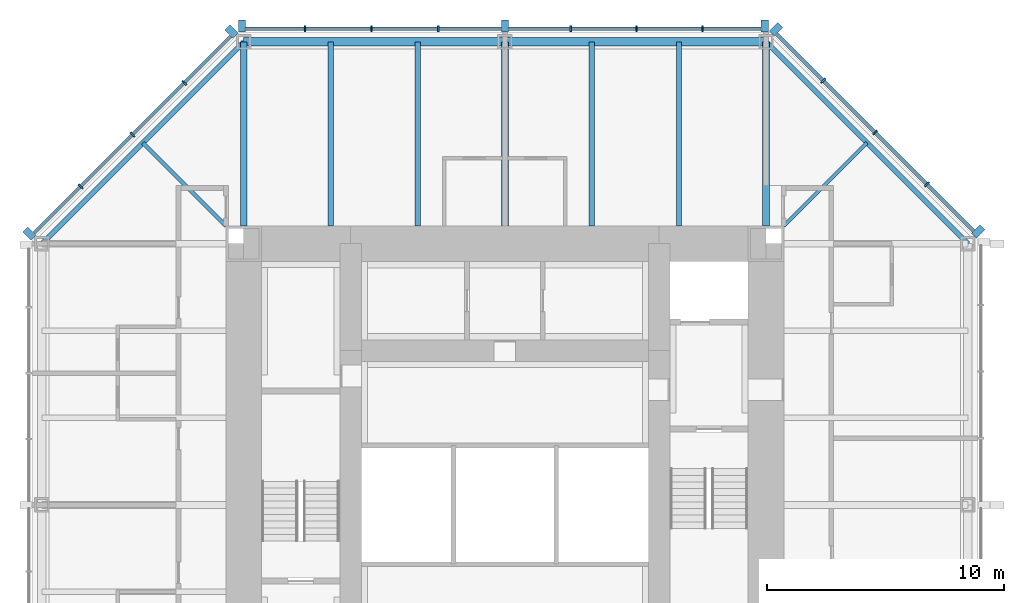
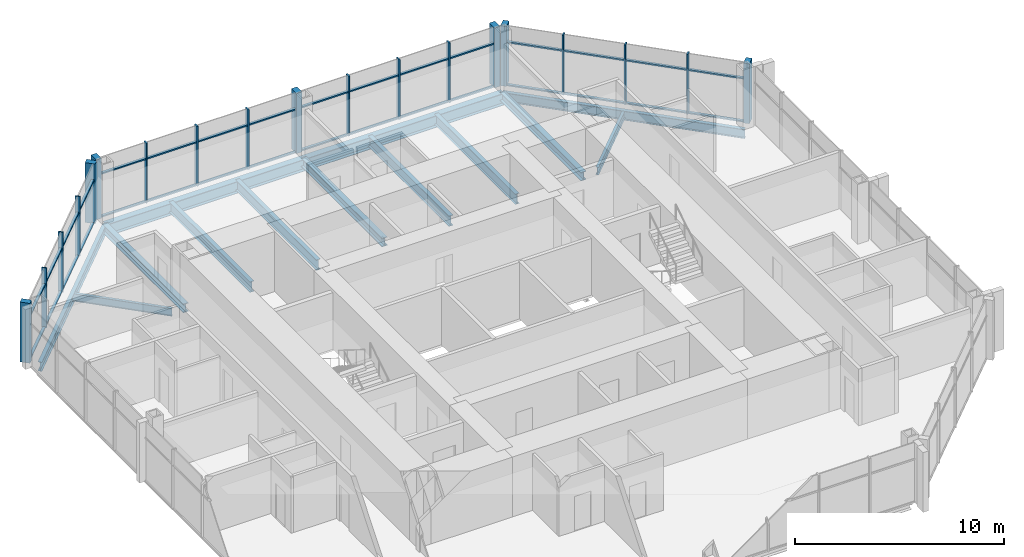
# One storey, part 5 of 11: 51 members, 13 beams, 3 elements without a shape of their own.
"""IFC4 building model written with IfcOpenShell, lengths in metres."""

from ifc_helpers import new_model, si_unit, direction, frame, origin, origin_2d, place, context, subcontext, project, spatial, rectangle, i_section, extrude, material, material_profile, profile_set, type_object, element, aggregate, save


model = new_model("IFC4")

# Units and contexts
model_context = context("Model", 3, precision=1e-05, world=origin(), true_north=direction((0.0, 1.0)))
body_context = subcontext(model_context, "Body", "Model", "MODEL_VIEW")
ifc_project = project(units=[si_unit("LENGTHUNIT", "METRE"), si_unit("AREAUNIT", "SQUARE_METRE"), si_unit("VOLUMEUNIT", "CUBIC_METRE"), si_unit("PLANEANGLEUNIT", "RADIAN"), si_unit("MASSUNIT", "GRAM", prefix="KILO")], contexts=[model_context])

# Site, building, storey
site_placement = place(None, origin())
site = spatial("IfcSite", under=ifc_project, at=site_placement, CompositionType="ELEMENT")
building_placement = place(site_placement, origin())
building = spatial("IfcBuilding", under=site, at=building_placement, Name="Trevanion Tower", CompositionType="ELEMENT")
storey_placement = place(building_placement, frame((0.0, 0.0, 229.199951171875)))
storey = spatial("IfcBuildingStorey", under=building, at=storey_placement, Name="L55", CompositionType="ELEMENT", Elevation=229.199951171875)

# Beams
ifc_material_1 = material(Name="Steel ASTM A992 Grade 50", Category="steel")
ifc_material_profile_1 = material_profile(ifc_material_1, i_section(OverallWidth=0.228271484375, OverallDepth=0.607177734375, WebThickness=0.01123046875, FlangeThickness=0.017333984375, at=origin_2d()), Name="W24X76")
ifc_profile_set_1 = profile_set([ifc_material_profile_1], Name="Steel ASTM A992 Grade 50")
beam_type_1 = type_object("IfcBeamType", Name="B11 W24X76", PredefinedType="BEAM", material=ifc_profile_set_1)
for number, where, z_axis, x_axis, name in (
    (1, (7.333251953125, 11.75, -0.493408203125), (0.0, 1.0, 0.0), (-1.0, 0.0, 0.0), "B11 L55"),
    (2, (3.666748046875, 11.75, -0.493408203125), (0.0, 1.0, 0.0), (-1.0, 0.0, 0.0), "B11 L55"),
    (3, (-3.666748046875, 11.75, -0.493408203125), (0.0, 1.0, 0.0), (-1.0, 0.0, 0.0), "B11 L55"),
    (4, (-7.333251953125, 11.75, -0.493408203125), (0.0, 1.0, 0.0), (-1.0, 0.0, 0.0), "B11 L55"),
):
    element("IfcBeam", number, at=place(storey_placement, frame(where, z_axis=z_axis, x_axis=x_axis)), inside=storey, type_object=beam_type_1, Name=name, PredefinedType="BEAM", context=body_context, shape_type="SweptSolid", body=[
        extrude(i_section(OverallWidth=0.228271484375, OverallDepth=0.607177734375, WebThickness=0.01123046875, FlangeThickness=0.017333984375, at=origin_2d()), origin(), (0.0, 0.0, 1.0), 7.75),
    ])
ifc_material_2 = material(Name="Steel ASTM A992 Grade 50", Category="steel")
ifc_material_profile_2 = material_profile(ifc_material_2, i_section(OverallWidth=0.15234375, OverallDepth=0.449462890625, WebThickness=0.007568359375, FlangeThickness=0.0107421875, at=origin_2d()), Name="W18X35")
ifc_profile_set_2 = profile_set([ifc_material_profile_2], Name="Steel ASTM A992 Grade 50")
beam_type_2 = type_object("IfcBeamType", Name="B12 W18X35", PredefinedType="BEAM", material=ifc_profile_set_2)
for number, where, z_axis, x_axis, name in (
    (5, (11.75, 11.75, -0.414794921875), (0.707106781187, 0.707106781187, 0.0), (-0.707106781187, 0.707106781187, 0.0), "B12 L55"),
    (6, (-11.75, 11.75, -0.414794921875), (-0.707106781187, 0.707106781187, 0.0), (-0.707106781187, -0.707106781187, 0.0), "B12 L55"),
):
    element("IfcBeam", number, at=place(storey_placement, frame(where, z_axis=z_axis, x_axis=x_axis)), inside=storey, type_object=beam_type_2, Name=name, PredefinedType="BEAM", context=body_context, shape_type="SweptSolid", body=[
        extrude(i_section(OverallWidth=0.15234375, OverallDepth=0.449462890625, WebThickness=0.007568359375, FlangeThickness=0.0107421875, at=origin_2d()), origin(), (0.0, 0.0, 1.0), 4.94970703125),
    ])

# Curtain wall, members
ifc_material_3 = material(Name="Aluminium and glass", Category="aluminium")
curtain_wall_type = type_object("IfcCurtainWallType", Name="CW3 curtain wall", PredefinedType="USERDEFINED", material=ifc_material_3)
curtain_wall_1_placement = place(storey_placement, origin())
curtain_wall_1 = element("IfcCurtainWall", 7, at=curtain_wall_1_placement, inside=storey, type_object=curtain_wall_type, Name="CW3 L55 1", ObjectType="UNITISED CURTAIN WALL", PredefinedType="USERDEFINED")
ifc_material_4 = material(Name="Aluminium extrusion, anodised bronze", Category="aluminium")
ifc_material_profile_3 = material_profile(ifc_material_4, rectangle(XDim=0.074951171875, YDim=0.25, at=origin_2d()), Name="CW3 mullion")
ifc_profile_set_3 = profile_set([ifc_material_profile_3], Name="Aluminium extrusion, anodised bronze")
member_type_1 = type_object("IfcMemberType", Name="CW3 mullion", PredefinedType="MULLION", material=ifc_profile_set_3)
member_1_placement = place(storey_placement, frame((17.775390625, 13.502197265625, -0.18994140625), z_axis=(0.0, 0.0, 1.0), x_axis=(-0.707106781187, 0.707106781187, 0.0)))
member_1 = element("IfcMember", 8, at=member_1_placement, type_object=member_type_1, Name="CW3 mullion 2", PredefinedType="MULLION", context=body_context, shape_type="SweptSolid", body=[
    extrude(rectangle(XDim=0.074951171875, YDim=0.25, at=origin_2d()), origin(), (0.0, 0.0, 1.0), 3.5),
])
member_2_placement = place(storey_placement, frame((15.593017578125, 15.684814453125, -0.18994140625), z_axis=(0.0, 0.0, 1.0), x_axis=(-0.707106781187, 0.707106781187, 0.0)))
member_2 = element("IfcMember", 9, at=member_2_placement, type_object=member_type_1, Name="CW3 mullion 3", PredefinedType="MULLION", context=body_context, shape_type="SweptSolid", body=[
    extrude(rectangle(XDim=0.074951171875, YDim=0.25, at=origin_2d()), origin(), (0.0, 0.0, 1.0), 3.5),
])
member_3_placement = place(storey_placement, frame((13.410400390625, 17.867431640625, -0.18994140625), z_axis=(0.0, 0.0, 1.0), x_axis=(-0.707106781187, 0.707106781187, 0.0)))
member_3 = element("IfcMember", 10, at=member_3_placement, type_object=member_type_1, Name="CW3 mullion 4", PredefinedType="MULLION", context=body_context, shape_type="SweptSolid", body=[
    extrude(rectangle(XDim=0.074951171875, YDim=0.25, at=origin_2d()), origin(), (0.0, 0.0, 1.0), 3.5),
])

curtain_wall_2_placement = place(storey_placement, origin())
curtain_wall_2 = element("IfcCurtainWall", 11, at=curtain_wall_2_placement, inside=storey, type_object=curtain_wall_type, Name="CW3 L55 2", ObjectType="UNITISED CURTAIN WALL", PredefinedType="USERDEFINED")
member_4_placement = place(storey_placement, frame((8.323486328125, 20.050048828125, -0.18994140625), z_axis=(0.0, 0.0, 1.0), x_axis=(-1.0, 0.0, 0.0)))
member_4 = element("IfcMember", 12, at=member_4_placement, type_object=member_type_1, Name="CW3 mullion 2", PredefinedType="MULLION", context=body_context, shape_type="SweptSolid", body=[
    extrude(rectangle(XDim=0.074951171875, YDim=0.25, at=origin_2d()), origin(), (0.0, 0.0, 1.0), 3.5),
])
member_5_placement = place(storey_placement, frame((5.548828125, 20.050048828125, -0.18994140625), z_axis=(0.0, 0.0, 1.0), x_axis=(-1.0, 0.0, 0.0)))
member_5 = element("IfcMember", 13, at=member_5_placement, type_object=member_type_1, Name="CW3 mullion 3", PredefinedType="MULLION", context=body_context, shape_type="SweptSolid", body=[
    extrude(rectangle(XDim=0.074951171875, YDim=0.25, at=origin_2d()), origin(), (0.0, 0.0, 1.0), 3.5),
])
member_6_placement = place(storey_placement, frame((2.7744140625, 20.050048828125, -0.18994140625), z_axis=(0.0, 0.0, 1.0), x_axis=(-1.0, 0.0, 0.0)))
member_6 = element("IfcMember", 14, at=member_6_placement, type_object=member_type_1, Name="CW3 mullion 4", PredefinedType="MULLION", context=body_context, shape_type="SweptSolid", body=[
    extrude(rectangle(XDim=0.074951171875, YDim=0.25, at=origin_2d()), origin(), (0.0, 0.0, 1.0), 3.5),
])
member_7_placement = place(storey_placement, frame((-2.806884765625, 20.050048828125, -0.18994140625), z_axis=(0.0, 0.0, 1.0), x_axis=(-1.0, 0.0, 0.0)))
member_7 = element("IfcMember", 15, at=member_7_placement, type_object=member_type_1, Name="CW3 mullion 6", PredefinedType="MULLION", context=body_context, shape_type="SweptSolid", body=[
    extrude(rectangle(XDim=0.074951171875, YDim=0.25, at=origin_2d()), origin(), (0.0, 0.0, 1.0), 3.5),
])
member_8_placement = place(storey_placement, frame((-5.614013671875, 20.050048828125, -0.18994140625), z_axis=(0.0, 0.0, 1.0), x_axis=(-1.0, 0.0, 0.0)))
member_8 = element("IfcMember", 16, at=member_8_placement, type_object=member_type_1, Name="CW3 mullion 7", PredefinedType="MULLION", context=body_context, shape_type="SweptSolid", body=[
    extrude(rectangle(XDim=0.074951171875, YDim=0.25, at=origin_2d()), origin(), (0.0, 0.0, 1.0), 3.5),
])
member_9_placement = place(storey_placement, frame((-8.4208984375, 20.050048828125, -0.18994140625), z_axis=(0.0, 0.0, 1.0), x_axis=(-1.0, 0.0, 0.0)))
member_9 = element("IfcMember", 17, at=member_9_placement, type_object=member_type_1, Name="CW3 mullion 8", PredefinedType="MULLION", context=body_context, shape_type="SweptSolid", body=[
    extrude(rectangle(XDim=0.074951171875, YDim=0.25, at=origin_2d()), origin(), (0.0, 0.0, 1.0), 3.5),
])

curtain_wall_3_placement = place(storey_placement, origin())
curtain_wall_3 = element("IfcCurtainWall", 18, at=curtain_wall_3_placement, inside=storey, type_object=curtain_wall_type, Name="CW3 L55 3", ObjectType="UNITISED CURTAIN WALL", PredefinedType="USERDEFINED")
member_10_placement = place(storey_placement, frame((-13.502197265625, 17.775390625, -0.18994140625), z_axis=(0.0, 0.0, 1.0), x_axis=(-0.707106781187, -0.707106781187, 0.0)))
member_10 = element("IfcMember", 19, at=member_10_placement, type_object=member_type_1, Name="CW3 mullion 2", PredefinedType="MULLION", context=body_context, shape_type="SweptSolid", body=[
    extrude(rectangle(XDim=0.074951171875, YDim=0.25, at=origin_2d()), origin(), (0.0, 0.0, 1.0), 3.5),
])
member_11_placement = place(storey_placement, frame((-15.684814453125, 15.593017578125, -0.18994140625), z_axis=(0.0, 0.0, 1.0), x_axis=(-0.707106781187, -0.707106781187, 0.0)))
member_11 = element("IfcMember", 20, at=member_11_placement, type_object=member_type_1, Name="CW3 mullion 3", PredefinedType="MULLION", context=body_context, shape_type="SweptSolid", body=[
    extrude(rectangle(XDim=0.074951171875, YDim=0.25, at=origin_2d()), origin(), (0.0, 0.0, 1.0), 3.5),
])
member_12_placement = place(storey_placement, frame((-17.867431640625, 13.410400390625, -0.18994140625), z_axis=(0.0, 0.0, 1.0), x_axis=(-0.707106781187, -0.707106781187, 0.0)))
member_12 = element("IfcMember", 21, at=member_12_placement, type_object=member_type_1, Name="CW3 mullion 4", PredefinedType="MULLION", context=body_context, shape_type="SweptSolid", body=[
    extrude(rectangle(XDim=0.074951171875, YDim=0.25, at=origin_2d()), origin(), (0.0, 0.0, 1.0), 3.5),
])

# Member
ifc_material_5 = material(Name="Aluminium extrusion, anodised bronze", Category="aluminium")
ifc_material_profile_4 = material_profile(ifc_material_5, rectangle(XDim=0.300048828125, YDim=0.5, at=origin_2d()), Name="CW3 pier mullion")
ifc_profile_set_4 = profile_set([ifc_material_profile_4], Name="Aluminium extrusion, anodised bronze")
member_type_2 = type_object("IfcMemberType", Name="CW3 pier mullion", PredefinedType="MULLION", material=ifc_profile_set_4)
member_13_placement = place(storey_placement, frame((19.9404296875, 11.51416015625, -0.18994140625), z_axis=(0.0, 0.0, 1.0), x_axis=(-0.707106781187, 0.707106781187, 0.0)))
member_13 = element("IfcMember", 22, at=member_13_placement, type_object=member_type_2, Name="CW3 pier mullion 1", PredefinedType="MULLION", context=body_context, shape_type="SweptSolid", body=[
    extrude(rectangle(XDim=0.300048828125, YDim=0.5, at=origin_2d()), origin(), (0.0, 0.0, 1.0), 3.5),
])

member_14_placement = place(storey_placement, frame((11.42236328125, 20.0322265625, -0.18994140625), z_axis=(0.0, 0.0, 1.0), x_axis=(-0.707106781187, 0.707106781187, 0.0)))
member_14 = element("IfcMember", 23, at=member_14_placement, type_object=member_type_2, Name="CW3 pier mullion 5", PredefinedType="MULLION", context=body_context, shape_type="SweptSolid", body=[
    extrude(rectangle(XDim=0.300048828125, YDim=0.5, at=origin_2d()), origin(), (0.0, 0.0, 1.0), 3.5),
])

member_15_placement = place(storey_placement, frame((10.94775390625, 20.175048828125, -0.18994140625), z_axis=(0.0, 0.0, 1.0), x_axis=(-1.0, 0.0, 0.0)))
member_15 = element("IfcMember", 24, at=member_15_placement, type_object=member_type_2, Name="CW3 pier mullion 1", PredefinedType="MULLION", context=body_context, shape_type="SweptSolid", body=[
    extrude(rectangle(XDim=0.300048828125, YDim=0.5, at=origin_2d()), origin(), (0.0, 0.0, 1.0), 3.5),
])

member_16_placement = place(storey_placement, frame((0.0, 20.175048828125, -0.18994140625), z_axis=(0.0, 0.0, 1.0), x_axis=(-1.0, 0.0, 0.0)))
member_16 = element("IfcMember", 25, at=member_16_placement, type_object=member_type_2, Name="CW3 pier mullion 5", PredefinedType="MULLION", context=body_context, shape_type="SweptSolid", body=[
    extrude(rectangle(XDim=0.300048828125, YDim=0.5, at=origin_2d()), origin(), (0.0, 0.0, 1.0), 3.5),
])

member_17_placement = place(storey_placement, frame((-11.077880859375, 20.175048828125, -0.18994140625), z_axis=(0.0, 0.0, 1.0), x_axis=(-1.0, 0.0, 0.0)))
member_17 = element("IfcMember", 26, at=member_17_placement, type_object=member_type_2, Name="CW3 pier mullion 9", PredefinedType="MULLION", context=body_context, shape_type="SweptSolid", body=[
    extrude(rectangle(XDim=0.300048828125, YDim=0.5, at=origin_2d()), origin(), (0.0, 0.0, 1.0), 3.5),
])

member_18_placement = place(storey_placement, frame((-11.51416015625, 19.9404296875, -0.18994140625), z_axis=(0.0, 0.0, 1.0), x_axis=(-0.707106781187, -0.707106781187, 0.0)))
member_18 = element("IfcMember", 27, at=member_18_placement, type_object=member_type_2, Name="CW3 pier mullion 1", PredefinedType="MULLION", context=body_context, shape_type="SweptSolid", body=[
    extrude(rectangle(XDim=0.300048828125, YDim=0.5, at=origin_2d()), origin(), (0.0, 0.0, 1.0), 3.5),
])

member_19_placement = place(storey_placement, frame((-20.0322265625, 11.42236328125, -0.18994140625), z_axis=(0.0, 0.0, 1.0), x_axis=(-0.707106781187, -0.707106781187, 0.0)))
member_19 = element("IfcMember", 28, at=member_19_placement, type_object=member_type_2, Name="CW3 pier mullion 5", PredefinedType="MULLION", context=body_context, shape_type="SweptSolid", body=[
    extrude(rectangle(XDim=0.300048828125, YDim=0.5, at=origin_2d()), origin(), (0.0, 0.0, 1.0), 3.5),
])

ifc_material_6 = material(Name="Aluminium extrusion, anodised bronze", Category="aluminium")
ifc_material_profile_5 = material_profile(ifc_material_6, rectangle(XDim=0.14990234375, YDim=0.074951171875, at=origin_2d()), Name="CW3 transom")
ifc_profile_set_5 = profile_set([ifc_material_profile_5], Name="Aluminium extrusion, anodised bronze")
member_type_3 = type_object("IfcMemberType", Name="CW3 transom", PredefinedType="USERDEFINED", material=ifc_profile_set_5)
member_20_placement = place(storey_placement, frame((19.745849609375, 11.531982421875, -0.15234375), z_axis=(-0.707106781187, 0.707106781187, 0.0), x_axis=(-0.707106781187, -0.707106781187, 0.0)))
member_20 = element("IfcMember", 29, at=member_20_placement, type_object=member_type_3, Name="CW3 transom 1.1", ObjectType="TRANSOM", PredefinedType="USERDEFINED", context=body_context, shape_type="SweptSolid", body=[
    extrude(rectangle(XDim=0.14990234375, YDim=0.074951171875, at=origin_2d()), origin(), (0.0, 0.0, 1.0), 2.7490234375),
])

member_21_placement = place(storey_placement, frame((19.745849609375, 11.531982421875, 2.360107421875), z_axis=(-0.707106781187, 0.707106781187, 0.0), x_axis=(-0.707106781187, -0.707106781187, 0.0)))
member_21 = element("IfcMember", 30, at=member_21_placement, type_object=member_type_3, Name="CW3 transom 1.2", ObjectType="TRANSOM", PredefinedType="USERDEFINED", context=body_context, shape_type="SweptSolid", body=[
    extrude(rectangle(XDim=0.14990234375, YDim=0.074951171875, at=origin_2d()), origin(), (0.0, 0.0, 1.0), 2.7490234375),
])

member_22_placement = place(storey_placement, frame((17.7490234375, 13.52880859375, -0.15234375), z_axis=(-0.707106781187, 0.707106781187, 0.0), x_axis=(-0.707106781187, -0.707106781187, 0.0)))
member_22 = element("IfcMember", 31, at=member_22_placement, type_object=member_type_3, Name="CW3 transom 2.1", ObjectType="TRANSOM", PredefinedType="USERDEFINED", context=body_context, shape_type="SweptSolid", body=[
    extrude(rectangle(XDim=0.14990234375, YDim=0.074951171875, at=origin_2d()), origin(), (0.0, 0.0, 1.0), 3.01171875),
])

member_23_placement = place(storey_placement, frame((17.7490234375, 13.52880859375, 2.360107421875), z_axis=(-0.707106781187, 0.707106781187, 0.0), x_axis=(-0.707106781187, -0.707106781187, 0.0)))
member_23 = element("IfcMember", 32, at=member_23_placement, type_object=member_type_3, Name="CW3 transom 2.2", ObjectType="TRANSOM", PredefinedType="USERDEFINED", context=body_context, shape_type="SweptSolid", body=[
    extrude(rectangle(XDim=0.14990234375, YDim=0.074951171875, at=origin_2d()), origin(), (0.0, 0.0, 1.0), 3.01171875),
])

member_24_placement = place(storey_placement, frame((15.56640625, 15.71142578125, -0.15234375), z_axis=(-0.707106781187, 0.707106781187, 0.0), x_axis=(-0.707106781187, -0.707106781187, 0.0)))
member_24 = element("IfcMember", 33, at=member_24_placement, type_object=member_type_3, Name="CW3 transom 3.1", ObjectType="TRANSOM", PredefinedType="USERDEFINED", context=body_context, shape_type="SweptSolid", body=[
    extrude(rectangle(XDim=0.14990234375, YDim=0.074951171875, at=origin_2d()), origin(), (0.0, 0.0, 1.0), 3.011474609375),
])

member_25_placement = place(storey_placement, frame((15.56640625, 15.71142578125, 2.360107421875), z_axis=(-0.707106781187, 0.707106781187, 0.0), x_axis=(-0.707106781187, -0.707106781187, 0.0)))
member_25 = element("IfcMember", 34, at=member_25_placement, type_object=member_type_3, Name="CW3 transom 3.2", ObjectType="TRANSOM", PredefinedType="USERDEFINED", context=body_context, shape_type="SweptSolid", body=[
    extrude(rectangle(XDim=0.14990234375, YDim=0.074951171875, at=origin_2d()), origin(), (0.0, 0.0, 1.0), 3.011474609375),
])

member_26_placement = place(storey_placement, frame((13.3837890625, 17.89404296875, -0.15234375), z_axis=(-0.707106781187, 0.707106781187, 0.0), x_axis=(-0.707106781187, -0.707106781187, 0.0)))
member_26 = element("IfcMember", 35, at=member_26_placement, type_object=member_type_3, Name="CW3 transom 4.1", ObjectType="TRANSOM", PredefinedType="USERDEFINED", context=body_context, shape_type="SweptSolid", body=[
    extrude(rectangle(XDim=0.14990234375, YDim=0.074951171875, at=origin_2d()), origin(), (0.0, 0.0, 1.0), 2.7490234375),
])

member_27_placement = place(storey_placement, frame((13.3837890625, 17.89404296875, 2.360107421875), z_axis=(-0.707106781187, 0.707106781187, 0.0), x_axis=(-0.707106781187, -0.707106781187, 0.0)))
member_27 = element("IfcMember", 36, at=member_27_placement, type_object=member_type_3, Name="CW3 transom 4.2", ObjectType="TRANSOM", PredefinedType="USERDEFINED", context=body_context, shape_type="SweptSolid", body=[
    extrude(rectangle(XDim=0.14990234375, YDim=0.074951171875, at=origin_2d()), origin(), (0.0, 0.0, 1.0), 2.7490234375),
])

aggregate(curtain_wall_1, [member_13, member_1, member_2, member_3, member_14, member_20, member_21, member_22, member_23, member_24, member_25, member_26, member_27])

member_28_placement = place(storey_placement, frame((10.7978515625, 20.050048828125, -0.15234375), z_axis=(-1.0, 0.0, 0.0), x_axis=(0.0, -1.0, 0.0)))
member_28 = element("IfcMember", 37, at=member_28_placement, type_object=member_type_3, Name="CW3 transom 1.1", ObjectType="TRANSOM", PredefinedType="USERDEFINED", context=body_context, shape_type="SweptSolid", body=[
    extrude(rectangle(XDim=0.14990234375, YDim=0.074951171875, at=origin_2d()), origin(), (0.0, 0.0, 1.0), 2.43701171875),
])

member_29_placement = place(storey_placement, frame((10.7978515625, 20.050048828125, 2.360107421875), z_axis=(-1.0, 0.0, 0.0), x_axis=(0.0, -1.0, 0.0)))
member_29 = element("IfcMember", 38, at=member_29_placement, type_object=member_type_3, Name="CW3 transom 1.2", ObjectType="TRANSOM", PredefinedType="USERDEFINED", context=body_context, shape_type="SweptSolid", body=[
    extrude(rectangle(XDim=0.14990234375, YDim=0.074951171875, at=origin_2d()), origin(), (0.0, 0.0, 1.0), 2.43701171875),
])

member_30_placement = place(storey_placement, frame((8.285888671875, 20.050048828125, -0.15234375), z_axis=(-1.0, 0.0, 0.0), x_axis=(0.0, -1.0, 0.0)))
member_30 = element("IfcMember", 39, at=member_30_placement, type_object=member_type_3, Name="CW3 transom 2.1", ObjectType="TRANSOM", PredefinedType="USERDEFINED", context=body_context, shape_type="SweptSolid", body=[
    extrude(rectangle(XDim=0.14990234375, YDim=0.074951171875, at=origin_2d()), origin(), (0.0, 0.0, 1.0), 2.699462890625),
])

member_31_placement = place(storey_placement, frame((8.285888671875, 20.050048828125, 2.360107421875), z_axis=(-1.0, 0.0, 0.0), x_axis=(0.0, -1.0, 0.0)))
member_31 = element("IfcMember", 40, at=member_31_placement, type_object=member_type_3, Name="CW3 transom 2.2", ObjectType="TRANSOM", PredefinedType="USERDEFINED", context=body_context, shape_type="SweptSolid", body=[
    extrude(rectangle(XDim=0.14990234375, YDim=0.074951171875, at=origin_2d()), origin(), (0.0, 0.0, 1.0), 2.699462890625),
])

member_32_placement = place(storey_placement, frame((5.511474609375, 20.050048828125, -0.15234375), z_axis=(-1.0, 0.0, 0.0), x_axis=(0.0, -1.0, 0.0)))
member_32 = element("IfcMember", 41, at=member_32_placement, type_object=member_type_3, Name="CW3 transom 3.1", ObjectType="TRANSOM", PredefinedType="USERDEFINED", context=body_context, shape_type="SweptSolid", body=[
    extrude(rectangle(XDim=0.14990234375, YDim=0.074951171875, at=origin_2d()), origin(), (0.0, 0.0, 1.0), 2.699462890625),
])

member_33_placement = place(storey_placement, frame((5.511474609375, 20.050048828125, 2.360107421875), z_axis=(-1.0, 0.0, 0.0), x_axis=(0.0, -1.0, 0.0)))
member_33 = element("IfcMember", 42, at=member_33_placement, type_object=member_type_3, Name="CW3 transom 3.2", ObjectType="TRANSOM", PredefinedType="USERDEFINED", context=body_context, shape_type="SweptSolid", body=[
    extrude(rectangle(XDim=0.14990234375, YDim=0.074951171875, at=origin_2d()), origin(), (0.0, 0.0, 1.0), 2.699462890625),
])

member_34_placement = place(storey_placement, frame((2.737060546875, 20.050048828125, -0.15234375), z_axis=(-1.0, 0.0, 0.0), x_axis=(0.0, -1.0, 0.0)))
member_34 = element("IfcMember", 43, at=member_34_placement, type_object=member_type_3, Name="CW3 transom 4.1", ObjectType="TRANSOM", PredefinedType="USERDEFINED", context=body_context, shape_type="SweptSolid", body=[
    extrude(rectangle(XDim=0.14990234375, YDim=0.074951171875, at=origin_2d()), origin(), (0.0, 0.0, 1.0), 2.587158203125),
])

member_35_placement = place(storey_placement, frame((2.737060546875, 20.050048828125, 2.360107421875), z_axis=(-1.0, 0.0, 0.0), x_axis=(0.0, -1.0, 0.0)))
member_35 = element("IfcMember", 44, at=member_35_placement, type_object=member_type_3, Name="CW3 transom 4.2", ObjectType="TRANSOM", PredefinedType="USERDEFINED", context=body_context, shape_type="SweptSolid", body=[
    extrude(rectangle(XDim=0.14990234375, YDim=0.074951171875, at=origin_2d()), origin(), (0.0, 0.0, 1.0), 2.587158203125),
])

member_36_placement = place(storey_placement, frame((-0.14990234375, 20.050048828125, -0.15234375), z_axis=(-1.0, 0.0, 0.0), x_axis=(0.0, -1.0, 0.0)))
member_36 = element("IfcMember", 45, at=member_36_placement, type_object=member_type_3, Name="CW3 transom 5.1", ObjectType="TRANSOM", PredefinedType="USERDEFINED", context=body_context, shape_type="SweptSolid", body=[
    extrude(rectangle(XDim=0.14990234375, YDim=0.074951171875, at=origin_2d()), origin(), (0.0, 0.0, 1.0), 2.619384765625),
])

member_37_placement = place(storey_placement, frame((-0.14990234375, 20.050048828125, 2.360107421875), z_axis=(-1.0, 0.0, 0.0), x_axis=(0.0, -1.0, 0.0)))
member_37 = element("IfcMember", 46, at=member_37_placement, type_object=member_type_3, Name="CW3 transom 5.2", ObjectType="TRANSOM", PredefinedType="USERDEFINED", context=body_context, shape_type="SweptSolid", body=[
    extrude(rectangle(XDim=0.14990234375, YDim=0.074951171875, at=origin_2d()), origin(), (0.0, 0.0, 1.0), 2.619384765625),
])

member_38_placement = place(storey_placement, frame((-2.844482421875, 20.050048828125, -0.15234375), z_axis=(-1.0, 0.0, 0.0), x_axis=(0.0, -1.0, 0.0)))
member_38 = element("IfcMember", 47, at=member_38_placement, type_object=member_type_3, Name="CW3 transom 6.1", ObjectType="TRANSOM", PredefinedType="USERDEFINED", context=body_context, shape_type="SweptSolid", body=[
    extrude(rectangle(XDim=0.14990234375, YDim=0.074951171875, at=origin_2d()), origin(), (0.0, 0.0, 1.0), 2.73193359375),
])

member_39_placement = place(storey_placement, frame((-2.844482421875, 20.050048828125, 2.360107421875), z_axis=(-1.0, 0.0, 0.0), x_axis=(0.0, -1.0, 0.0)))
member_39 = element("IfcMember", 48, at=member_39_placement, type_object=member_type_3, Name="CW3 transom 6.2", ObjectType="TRANSOM", PredefinedType="USERDEFINED", context=body_context, shape_type="SweptSolid", body=[
    extrude(rectangle(XDim=0.14990234375, YDim=0.074951171875, at=origin_2d()), origin(), (0.0, 0.0, 1.0), 2.73193359375),
])

member_40_placement = place(storey_placement, frame((-5.6513671875, 20.050048828125, -0.15234375), z_axis=(-1.0, 0.0, 0.0), x_axis=(0.0, -1.0, 0.0)))
member_40 = element("IfcMember", 49, at=member_40_placement, type_object=member_type_3, Name="CW3 transom 7.1", ObjectType="TRANSOM", PredefinedType="USERDEFINED", context=body_context, shape_type="SweptSolid", body=[
    extrude(rectangle(XDim=0.14990234375, YDim=0.074951171875, at=origin_2d()), origin(), (0.0, 0.0, 1.0), 2.73193359375),
])

member_41_placement = place(storey_placement, frame((-5.6513671875, 20.050048828125, 2.360107421875), z_axis=(-1.0, 0.0, 0.0), x_axis=(0.0, -1.0, 0.0)))
member_41 = element("IfcMember", 50, at=member_41_placement, type_object=member_type_3, Name="CW3 transom 7.2", ObjectType="TRANSOM", PredefinedType="USERDEFINED", context=body_context, shape_type="SweptSolid", body=[
    extrude(rectangle(XDim=0.14990234375, YDim=0.074951171875, at=origin_2d()), origin(), (0.0, 0.0, 1.0), 2.73193359375),
])

member_42_placement = place(storey_placement, frame((-8.45849609375, 20.050048828125, -0.15234375), z_axis=(-1.0, 0.0, 0.0), x_axis=(0.0, -1.0, 0.0)))
member_42 = element("IfcMember", 51, at=member_42_placement, type_object=member_type_3, Name="CW3 transom 8.1", ObjectType="TRANSOM", PredefinedType="USERDEFINED", context=body_context, shape_type="SweptSolid", body=[
    extrude(rectangle(XDim=0.14990234375, YDim=0.074951171875, at=origin_2d()), origin(), (0.0, 0.0, 1.0), 2.46923828125),
])

member_43_placement = place(storey_placement, frame((-8.45849609375, 20.050048828125, 2.360107421875), z_axis=(-1.0, 0.0, 0.0), x_axis=(0.0, -1.0, 0.0)))
member_43 = element("IfcMember", 52, at=member_43_placement, type_object=member_type_3, Name="CW3 transom 8.2", ObjectType="TRANSOM", PredefinedType="USERDEFINED", context=body_context, shape_type="SweptSolid", body=[
    extrude(rectangle(XDim=0.14990234375, YDim=0.074951171875, at=origin_2d()), origin(), (0.0, 0.0, 1.0), 2.46923828125),
])

aggregate(curtain_wall_2, [member_15, member_4, member_5, member_6, member_16, member_7, member_8, member_9, member_17, member_28, member_29, member_30, member_31, member_32, member_33, member_34, member_35, member_36, member_37, member_38, member_39, member_40, member_41, member_42, member_43])

member_44_placement = place(storey_placement, frame((-11.531982421875, 19.745849609375, -0.15234375), z_axis=(-0.707106781187, -0.707106781187, 0.0), x_axis=(0.707106781187, -0.707106781187, 0.0)))
member_44 = element("IfcMember", 53, at=member_44_placement, type_object=member_type_3, Name="CW3 transom 1.1", ObjectType="TRANSOM", PredefinedType="USERDEFINED", context=body_context, shape_type="SweptSolid", body=[
    extrude(rectangle(XDim=0.14990234375, YDim=0.074951171875, at=origin_2d()), origin(), (0.0, 0.0, 1.0), 2.7490234375),
])

member_45_placement = place(storey_placement, frame((-11.531982421875, 19.745849609375, 2.360107421875), z_axis=(-0.707106781187, -0.707106781187, 0.0), x_axis=(0.707106781187, -0.707106781187, 0.0)))
member_45 = element("IfcMember", 54, at=member_45_placement, type_object=member_type_3, Name="CW3 transom 1.2", ObjectType="TRANSOM", PredefinedType="USERDEFINED", context=body_context, shape_type="SweptSolid", body=[
    extrude(rectangle(XDim=0.14990234375, YDim=0.074951171875, at=origin_2d()), origin(), (0.0, 0.0, 1.0), 2.7490234375),
])

member_46_placement = place(storey_placement, frame((-13.52880859375, 17.7490234375, -0.15234375), z_axis=(-0.707106781187, -0.707106781187, 0.0), x_axis=(0.707106781187, -0.707106781187, 0.0)))
member_46 = element("IfcMember", 55, at=member_46_placement, type_object=member_type_3, Name="CW3 transom 2.1", ObjectType="TRANSOM", PredefinedType="USERDEFINED", context=body_context, shape_type="SweptSolid", body=[
    extrude(rectangle(XDim=0.14990234375, YDim=0.074951171875, at=origin_2d()), origin(), (0.0, 0.0, 1.0), 3.01171875),
])

member_47_placement = place(storey_placement, frame((-13.52880859375, 17.7490234375, 2.360107421875), z_axis=(-0.707106781187, -0.707106781187, 0.0), x_axis=(0.707106781187, -0.707106781187, 0.0)))
member_47 = element("IfcMember", 56, at=member_47_placement, type_object=member_type_3, Name="CW3 transom 2.2", ObjectType="TRANSOM", PredefinedType="USERDEFINED", context=body_context, shape_type="SweptSolid", body=[
    extrude(rectangle(XDim=0.14990234375, YDim=0.074951171875, at=origin_2d()), origin(), (0.0, 0.0, 1.0), 3.01171875),
])

member_48_placement = place(storey_placement, frame((-15.71142578125, 15.56640625, -0.15234375), z_axis=(-0.707106781187, -0.707106781187, 0.0), x_axis=(0.707106781187, -0.707106781187, 0.0)))
member_48 = element("IfcMember", 57, at=member_48_placement, type_object=member_type_3, Name="CW3 transom 3.1", ObjectType="TRANSOM", PredefinedType="USERDEFINED", context=body_context, shape_type="SweptSolid", body=[
    extrude(rectangle(XDim=0.14990234375, YDim=0.074951171875, at=origin_2d()), origin(), (0.0, 0.0, 1.0), 3.011474609375),
])

member_49_placement = place(storey_placement, frame((-15.71142578125, 15.56640625, 2.360107421875), z_axis=(-0.707106781187, -0.707106781187, 0.0), x_axis=(0.707106781187, -0.707106781187, 0.0)))
member_49 = element("IfcMember", 58, at=member_49_placement, type_object=member_type_3, Name="CW3 transom 3.2", ObjectType="TRANSOM", PredefinedType="USERDEFINED", context=body_context, shape_type="SweptSolid", body=[
    extrude(rectangle(XDim=0.14990234375, YDim=0.074951171875, at=origin_2d()), origin(), (0.0, 0.0, 1.0), 3.011474609375),
])

member_50_placement = place(storey_placement, frame((-17.89404296875, 13.3837890625, -0.15234375), z_axis=(-0.707106781187, -0.707106781187, 0.0), x_axis=(0.707106781187, -0.707106781187, 0.0)))
member_50 = element("IfcMember", 59, at=member_50_placement, type_object=member_type_3, Name="CW3 transom 4.1", ObjectType="TRANSOM", PredefinedType="USERDEFINED", context=body_context, shape_type="SweptSolid", body=[
    extrude(rectangle(XDim=0.14990234375, YDim=0.074951171875, at=origin_2d()), origin(), (0.0, 0.0, 1.0), 2.7490234375),
])

member_51_placement = place(storey_placement, frame((-17.89404296875, 13.3837890625, 2.360107421875), z_axis=(-0.707106781187, -0.707106781187, 0.0), x_axis=(0.707106781187, -0.707106781187, 0.0)))
member_51 = element("IfcMember", 60, at=member_51_placement, type_object=member_type_3, Name="CW3 transom 4.2", ObjectType="TRANSOM", PredefinedType="USERDEFINED", context=body_context, shape_type="SweptSolid", body=[
    extrude(rectangle(XDim=0.14990234375, YDim=0.074951171875, at=origin_2d()), origin(), (0.0, 0.0, 1.0), 2.7490234375),
])

aggregate(curtain_wall_3, [member_18, member_10, member_11, member_12, member_19, member_44, member_45, member_46, member_47, member_48, member_49, member_50, member_51])

# Beams
ifc_material_7 = material(Name="Steel ASTM A992 Grade 50", Category="steel")
ifc_material_profile_6 = material_profile(ifc_material_7, i_section(OverallWidth=0.28955078125, OverallDepth=0.508056640625, WebThickness=0.022705078125, FlangeThickness=0.040283203125, at=origin_2d()), Name="W18X175")
ifc_profile_set_6 = profile_set([ifc_material_profile_6], Name="Steel ASTM A992 Grade 50")
beam_type_3 = type_object("IfcBeamType", Name="G6 W18X175", PredefinedType="BEAM", material=ifc_profile_set_6)
for number, where, z_axis, x_axis, name in (
    (61, (11.0, 11.75, -0.44384765625), (0.0, 1.0, 0.0), (-1.0, 0.0, 0.0), "G6 L55"),
    (62, (0.0, 11.75, -0.44384765625), (0.0, 1.0, 0.0), (-1.0, 0.0, 0.0), "G6 L55"),
    (63, (-11.0, 11.75, -0.44384765625), (0.0, 1.0, 0.0), (-1.0, 0.0, 0.0), "G6 L55"),
):
    element("IfcBeam", number, at=place(storey_placement, frame(where, z_axis=z_axis, x_axis=x_axis)), inside=storey, type_object=beam_type_3, Name=name, PredefinedType="BEAM", context=body_context, shape_type="SweptSolid", body=[
        extrude(i_section(OverallWidth=0.28955078125, OverallDepth=0.508056640625, WebThickness=0.022705078125, FlangeThickness=0.040283203125, at=origin_2d()), origin(), (0.0, 0.0, 1.0), 7.75),
    ])
ifc_material_8 = material(Name="Steel ASTM A992 Grade 50", Category="steel")
ifc_material_profile_7 = material_profile(ifc_material_8, i_section(OverallWidth=0.355712890625, OverallDepth=0.696044921875, WebThickness=0.015380859375, FlangeThickness=0.024658203125, at=origin_2d()), Name="W27X146")
ifc_profile_set_7 = profile_set([ifc_material_profile_7], Name="Steel ASTM A992 Grade 50")
beam_type_4 = type_object("IfcBeamType", Name="SB8 W27X146", PredefinedType="SPANDREL", material=ifc_profile_set_7)
for number, where, z_axis, x_axis, name in (
    (64, (11.0, 19.5, -0.537841796875), (-1.0, 0.0, 0.0), (0.0, -1.0, 0.0), "SB8 L55"),
    (65, (0.0, 19.5, -0.537841796875), (-1.0, 0.0, 0.0), (0.0, -1.0, 0.0), "SB8 L55"),
):
    element("IfcBeam", number, at=place(storey_placement, frame(where, z_axis=z_axis, x_axis=x_axis)), inside=storey, type_object=beam_type_4, Name=name, PredefinedType="SPANDREL", context=body_context, shape_type="SweptSolid", body=[
        extrude(i_section(OverallWidth=0.355712890625, OverallDepth=0.696044921875, WebThickness=0.015380859375, FlangeThickness=0.024658203125, at=origin_2d()), origin(), (0.0, 0.0, 1.0), 11.0),
    ])
ifc_material_9 = material(Name="Steel ASTM A992 Grade 50", Category="steel")
ifc_material_profile_8 = material_profile(ifc_material_9, i_section(OverallWidth=0.209228515625, OverallDepth=0.533447265625, WebThickness=0.01025390625, FlangeThickness=0.015625, at=origin_2d()), Name="W21X62")
ifc_profile_set_8 = profile_set([ifc_material_profile_8], Name="Steel ASTM A992 Grade 50")
beam_type_5 = type_object("IfcBeamType", Name="SB9 W21X62", PredefinedType="SPANDREL", material=ifc_profile_set_8)
for number, where, z_axis, x_axis, name in (
    (66, (19.5, 11.0, -0.45654296875), (-0.707106781187, 0.707106781187, 0.0), (-0.707106781187, -0.707106781187, 0.0), "SB9 L55"),
    (67, (-11.0, 19.5, -0.45654296875), (-0.707106781187, -0.707106781187, 0.0), (0.707106781187, -0.707106781187, 0.0), "SB9 L55"),
):
    element("IfcBeam", number, at=place(storey_placement, frame(where, z_axis=z_axis, x_axis=x_axis)), inside=storey, type_object=beam_type_5, Name=name, PredefinedType="SPANDREL", context=body_context, shape_type="SweptSolid", body=[
        extrude(i_section(OverallWidth=0.209228515625, OverallDepth=0.533447265625, WebThickness=0.01025390625, FlangeThickness=0.015625, at=origin_2d()), origin(), (0.0, 0.0, 1.0), 12.020751953125),
    ])

save(model, "model.ifc")
